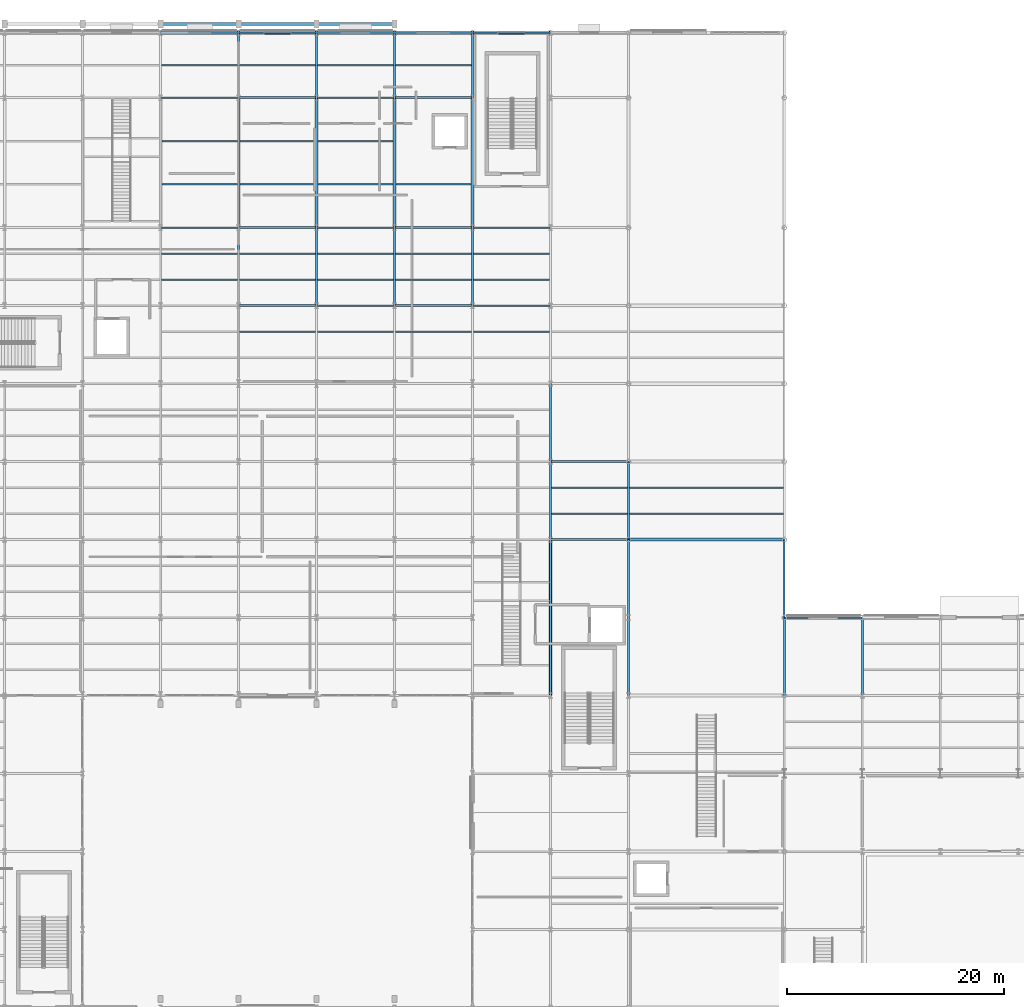
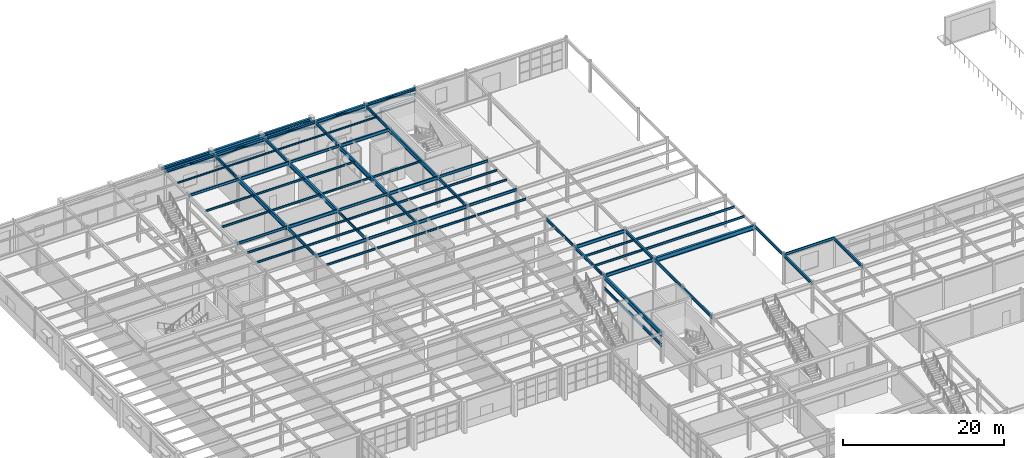
# One storey, part 38 of 83: 78 beams, 9 members.
"""IFC4 building model written with IfcOpenShell, lengths in metres."""

from ifc_helpers import new_model, si_unit, direction, frame, origin, origin_2d, place, context, subcontext, project, spatial, hollow_rectangle, i_section, extrude, material, material_profile, profile_set, type_object, element, save


model = new_model("IFC4")

# Units and contexts
model_context = context("Model", 3, precision=1e-05, world=origin(), true_north=direction((0.0, 1.0)))
body_context = subcontext(model_context, "Body", "Model", "MODEL_VIEW")
ifc_project = project(units=[si_unit("LENGTHUNIT", "METRE"), si_unit("AREAUNIT", "SQUARE_METRE"), si_unit("VOLUMEUNIT", "CUBIC_METRE"), si_unit("PLANEANGLEUNIT", "RADIAN"), si_unit("MASSUNIT", "GRAM", prefix="KILO")], contexts=[model_context])

# Site, building, storey
site_placement = place(None, origin())
site = spatial("IfcSite", under=ifc_project, at=site_placement, CompositionType="ELEMENT")
building_placement = place(site_placement, origin())
building = spatial("IfcBuilding", under=site, at=building_placement, Name="Solvadek Multi-Sports Hall", CompositionType="ELEMENT")
storey_placement = place(building_placement, origin())
storey = spatial("IfcBuildingStorey", under=building, at=storey_placement, Name="L00", CompositionType="ELEMENT", Elevation=0.0)

# Members
ifc_material_1 = material(Name="Steel E350 (350 MPa)", Category="steel")
ifc_material_profile_1 = material_profile(ifc_material_1, hollow_rectangle(XDim=0.14990234375, YDim=0.25, WallThickness=0.010009765625, at=origin_2d()), Name="RHS 250x150x10")
ifc_profile_set_1 = profile_set([ifc_material_profile_1], Name="Steel E350 (350 MPa)")
member_type = type_object("IfcMemberType", Name="STR-ARC-RHS250", PredefinedType="USERDEFINED", material=ifc_profile_set_1)
for number, where, z_axis, x_axis, name in (
    (1, (32.39990234375, 110.39990234375, 4.219970703125), (0.983123357379, 0.0, -0.182943882588), (0.0, 1.0, 0.0), "L00 North Facade Pointed Ottoman Arch 5R"),
    (2, (36.0, 110.39990234375, 3.550048828125), (0.983123357379, 0.0, 0.182943882588), (0.0, 1.0, 0.0), "L00 North Facade Pointed Ottoman Arch 6L"),
):
    element("IfcMember", number, at=place(storey_placement, frame(where, z_axis=z_axis, x_axis=x_axis)), inside=storey, type_object=member_type, Name=name, ObjectType="ARCH_SEGMENT", PredefinedType="USERDEFINED", context=body_context, shape_type="SweptSolid", body=[
        extrude(hollow_rectangle(XDim=0.14990234375, YDim=0.25, WallThickness=0.010009765625, at=origin_2d()), origin(), (0.0, 0.0, 1.0), 3.661865234375),
    ])
member_1_placement = place(storey_placement, frame((39.60009765625, 110.39990234375, 4.219970703125), z_axis=(0.9831211258, 0.0, -0.182955874479), x_axis=(0.0, 1.0, 0.0)))
element("IfcMember", 3, at=member_1_placement, inside=storey, type_object=member_type, Name="L00 North Facade Pointed Ottoman Arch 6R", ObjectType="ARCH_SEGMENT", PredefinedType="USERDEFINED", context=body_context, shape_type="SweptSolid", body=[
    extrude(hollow_rectangle(XDim=0.14990234375, YDim=0.25, WallThickness=0.010009765625, at=origin_2d()), origin(), (0.0, 0.0, 1.0), 3.66162109375),
])
member_2_placement = place(storey_placement, frame((43.199951171875, 110.39990234375, 3.550048828125), z_axis=(0.983123357379, 0.0, 0.182943882588), x_axis=(0.0, 1.0, 0.0)))
element("IfcMember", 4, at=member_2_placement, inside=storey, type_object=member_type, Name="L00 North Facade Pointed Ottoman Arch 7L", ObjectType="ARCH_SEGMENT", PredefinedType="USERDEFINED", context=body_context, shape_type="SweptSolid", body=[
    extrude(hollow_rectangle(XDim=0.14990234375, YDim=0.25, WallThickness=0.010009765625, at=origin_2d()), origin(), (0.0, 0.0, 1.0), 3.661865234375),
])
member_3_placement = place(storey_placement, frame((46.800048828125, 110.39990234375, 4.219970703125), z_axis=(0.9831211258, 0.0, -0.182955874479), x_axis=(0.0, 1.0, 0.0)))
element("IfcMember", 5, at=member_3_placement, inside=storey, type_object=member_type, Name="L00 North Facade Pointed Ottoman Arch 7R", ObjectType="ARCH_SEGMENT", PredefinedType="USERDEFINED", context=body_context, shape_type="SweptSolid", body=[
    extrude(hollow_rectangle(XDim=0.14990234375, YDim=0.25, WallThickness=0.010009765625, at=origin_2d()), origin(), (0.0, 0.0, 1.0), 3.66162109375),
])
for number, where, z_axis, x_axis, name in (
    (6, (50.39990234375, 110.39990234375, 3.550048828125), (0.983123357379, 0.0, 0.182943882588), (0.0, 1.0, 0.0), "L00 North Facade Pointed Ottoman Arch 8L"),
    (7, (54.0, 110.39990234375, 4.219970703125), (0.983123357379, 0.0, -0.182943882588), (0.0, 1.0, 0.0), "L00 North Facade Pointed Ottoman Arch 8R"),
):
    element("IfcMember", number, at=place(storey_placement, frame(where, z_axis=z_axis, x_axis=x_axis)), inside=storey, type_object=member_type, Name=name, ObjectType="ARCH_SEGMENT", PredefinedType="USERDEFINED", context=body_context, shape_type="SweptSolid", body=[
        extrude(hollow_rectangle(XDim=0.14990234375, YDim=0.25, WallThickness=0.010009765625, at=origin_2d()), origin(), (0.0, 0.0, 1.0), 3.661865234375),
    ])
member_4_placement = place(storey_placement, frame((57.60009765625, 110.39990234375, 3.550048828125), z_axis=(0.9831211258, 0.0, 0.182955874479), x_axis=(0.0, 1.0, 0.0)))
element("IfcMember", 8, at=member_4_placement, inside=storey, type_object=member_type, Name="L00 North Facade Pointed Ottoman Arch 9L", ObjectType="ARCH_SEGMENT", PredefinedType="USERDEFINED", context=body_context, shape_type="SweptSolid", body=[
    extrude(hollow_rectangle(XDim=0.14990234375, YDim=0.25, WallThickness=0.010009765625, at=origin_2d()), origin(), (0.0, 0.0, 1.0), 3.66162109375),
])
member_5_placement = place(storey_placement, frame((61.199951171875, 110.39990234375, 4.219970703125), z_axis=(0.983123357379, 0.0, -0.182943882588), x_axis=(0.0, 1.0, 0.0)))
element("IfcMember", 9, at=member_5_placement, inside=storey, type_object=member_type, Name="L00 North Facade Pointed Ottoman Arch 9R", ObjectType="ARCH_SEGMENT", PredefinedType="USERDEFINED", context=body_context, shape_type="SweptSolid", body=[
    extrude(hollow_rectangle(XDim=0.14990234375, YDim=0.25, WallThickness=0.010009765625, at=origin_2d()), origin(), (0.0, 0.0, 1.0), 3.661865234375),
])

# Beams
ifc_material_profile_2 = material_profile(ifc_material_1, i_section(OverallWidth=0.139892578125, OverallDepth=0.39990234375, WebThickness=0.0087890625, FlangeThickness=0.01611328125, at=origin_2d()), Name="ISMB 400")
ifc_profile_set_2 = profile_set([ifc_material_profile_2], Name="Steel E350 (350 MPa)")
beam_type_1 = type_object("IfcBeamType", Name="STR-BM-ISMB400", PredefinedType="BEAM", material=ifc_profile_set_2)
beam_1_placement = place(storey_placement, frame((86.39990234375, 56.39990234375, 4.3798828125), z_axis=(1.0, 0.0, 0.0), x_axis=(0.0, 1.0, 0.0)))
element("IfcBeam", 10, at=beam_1_placement, inside=storey, type_object=beam_type_1, Name="L00 Girder B-10 #631", PredefinedType="BEAM", context=body_context, shape_type="SweptSolid", body=[
    extrude(i_section(OverallWidth=0.139892578125, OverallDepth=0.39990234375, WebThickness=0.0087890625, FlangeThickness=0.01611328125, at=origin_2d()), origin(), (0.0, 0.0, 1.0), 7.2001953125),
])
for number, where, z_axis, x_axis, name in (
    (11, (43.199951171875, 85.199951171875, 4.3798828125), (1.0, 0.0, 0.0), (0.0, 1.0, 0.0), "L00 Girder B-10 #684"),
    (12, (57.60009765625, 85.199951171875, 4.3798828125), (1.0, 0.0, 0.0), (0.0, 1.0, 0.0), "L00 Girder B-10 #686"),
    (13, (28.800048828125, 92.39990234375, 4.3798828125), (1.0, 0.0, 0.0), (0.0, 1.0, 0.0), "L00 Girder B-10 #693"),
    (14, (43.199951171875, 92.39990234375, 4.3798828125), (1.0, 0.0, 0.0), (0.0, 1.0, 0.0), "L00 Girder B-10 #695"),
    (15, (57.60009765625, 92.39990234375, 4.3798828125), (1.0, 0.0, 0.0), (0.0, 1.0, 0.0), "L00 Girder B-10 #697"),
    (16, (28.800048828125, 104.39990234375, 4.3798828125), (1.0, 0.0, 0.0), (0.0, 1.0, 0.0), "L00 Girder B-10 #703"),
    (17, (43.199951171875, 104.39990234375, 4.3798828125), (1.0, 0.0, 0.0), (0.0, 1.0, 0.0), "L00 Girder B-10 #705"),
):
    element("IfcBeam", number, at=place(storey_placement, frame(where, z_axis=z_axis, x_axis=x_axis)), inside=storey, type_object=beam_type_1, Name=name, PredefinedType="BEAM", context=body_context, shape_type="SweptSolid", body=[
        extrude(i_section(OverallWidth=0.139892578125, OverallDepth=0.39990234375, WebThickness=0.0087890625, FlangeThickness=0.01611328125, at=origin_2d()), origin(), (0.0, 0.0, 1.0), 7.199951171875),
    ])
ifc_material_profile_3 = material_profile(ifc_material_1, i_section(OverallWidth=0.14990234375, OverallDepth=0.449951171875, WebThickness=0.009521484375, FlangeThickness=0.017333984375, at=origin_2d()), Name="ISMB 450")
ifc_profile_set_3 = profile_set([ifc_material_profile_3], Name="Steel E350 (350 MPa)")
beam_type_2 = type_object("IfcBeamType", Name="STR-BM-ISMB450", PredefinedType="BEAM", material=ifc_profile_set_3)
for number, where, z_axis, x_axis, name in (
    (18, (36.0, 85.199951171875, 4.35498046875), (0.0, 1.0, 0.0), (-1.0, 0.0, 0.0), "L00 Girder B-09 #790"),
    (19, (43.199951171875, 85.199951171875, 4.35498046875), (0.0, 1.0, 0.0), (-1.0, 0.0, 0.0), "L00 Girder B-09 #802"),
    (20, (50.39990234375, 85.199951171875, 4.35498046875), (0.0, 1.0, 0.0), (-1.0, 0.0, 0.0), "L00 Girder B-09 #814"),
    (21, (57.60009765625, 85.199951171875, 4.35498046875), (0.0, 1.0, 0.0), (-1.0, 0.0, 0.0), "L00 Girder B-09 #833"),
    (22, (64.800048828125, 70.800048828125, 4.35498046875), (0.0, 1.0, 0.0), (-1.0, 0.0, 0.0), "L00 Girder B-09 #848"),
):
    element("IfcBeam", number, at=place(storey_placement, frame(where, z_axis=z_axis, x_axis=x_axis)), inside=storey, type_object=beam_type_2, Name=name, PredefinedType="BEAM", context=body_context, shape_type="SweptSolid", body=[
        extrude(i_section(OverallWidth=0.14990234375, OverallDepth=0.449951171875, WebThickness=0.009521484375, FlangeThickness=0.017333984375, at=origin_2d()), origin(), (0.0, 0.0, 1.0), 7.199951171875),
    ])
for number, where, z_axis, x_axis, name in (
    (23, (72.0, 56.39990234375, 4.35498046875), (0.0, 1.0, 0.0), (-1.0, 0.0, 0.0), "L00 Girder B-09 #867"),
    (24, (86.39990234375, 56.39990234375, 4.35498046875), (0.0, 1.0, 0.0), (-1.0, 0.0, 0.0), "L00 Girder B-09 #885"),
):
    element("IfcBeam", number, at=place(storey_placement, frame(where, z_axis=z_axis, x_axis=x_axis)), inside=storey, type_object=beam_type_2, Name=name, PredefinedType="BEAM", context=body_context, shape_type="SweptSolid", body=[
        extrude(i_section(OverallWidth=0.14990234375, OverallDepth=0.449951171875, WebThickness=0.009521484375, FlangeThickness=0.017333984375, at=origin_2d()), origin(), (0.0, 0.0, 1.0), 7.2001953125),
    ])
ifc_material_profile_4 = material_profile(ifc_material_1, i_section(OverallWidth=0.179931640625, OverallDepth=0.5, WebThickness=0.01025390625, FlangeThickness=0.01708984375, at=origin_2d()), Name="ISMB 500")
ifc_profile_set_4 = profile_set([ifc_material_profile_4], Name="Steel E350 (350 MPa)")
beam_type_3 = type_object("IfcBeamType", Name="STR-BM-ISMB500", PredefinedType="BEAM", material=ifc_profile_set_4)
for number, where, z_axis, x_axis, name in (
    (25, (64.800048828125, 63.60009765625, 4.330078125), (1.0, 0.0, 0.0), (0.0, 1.0, 0.0), "L00 Girder B-07 #646"),
    (26, (64.800048828125, 70.800048828125, 4.330078125), (1.0, 0.0, 0.0), (0.0, 1.0, 0.0), "L00 Girder B-07 #661"),
    (27, (36.0, 85.199951171875, 4.330078125), (1.0, 0.0, 0.0), (0.0, 1.0, 0.0), "L00 Girder B-07 #683"),
):
    element("IfcBeam", number, at=place(storey_placement, frame(where, z_axis=z_axis, x_axis=x_axis)), inside=storey, type_object=beam_type_3, Name=name, PredefinedType="BEAM", context=body_context, shape_type="SweptSolid", body=[
        extrude(i_section(OverallWidth=0.179931640625, OverallDepth=0.5, WebThickness=0.01025390625, FlangeThickness=0.01708984375, at=origin_2d()), origin(), (0.0, 0.0, 1.0), 7.199951171875),
    ])
beam_2_placement = place(storey_placement, frame((50.39990234375, 85.199951171875, 4.330078125), z_axis=(1.0, 0.0, 0.0), x_axis=(0.0, 1.0, 0.0)))
element("IfcBeam", 28, at=beam_2_placement, inside=storey, type_object=beam_type_3, Name="L00 Girder B-07 #685", PredefinedType="BEAM", context=body_context, shape_type="SweptSolid", body=[
    extrude(i_section(OverallWidth=0.179931640625, OverallDepth=0.5, WebThickness=0.01025390625, FlangeThickness=0.01708984375, at=origin_2d()), origin(), (0.0, 0.0, 1.0), 7.2001953125),
])
beam_3_placement = place(storey_placement, frame((36.0, 92.39990234375, 4.330078125), z_axis=(1.0, 0.0, 0.0), x_axis=(0.0, 1.0, 0.0)))
element("IfcBeam", 29, at=beam_3_placement, inside=storey, type_object=beam_type_3, Name="L00 Girder B-07 #694", PredefinedType="BEAM", context=body_context, shape_type="SweptSolid", body=[
    extrude(i_section(OverallWidth=0.179931640625, OverallDepth=0.5, WebThickness=0.01025390625, FlangeThickness=0.01708984375, at=origin_2d()), origin(), (0.0, 0.0, 1.0), 7.199951171875),
])
beam_4_placement = place(storey_placement, frame((50.39990234375, 92.39990234375, 4.330078125), z_axis=(1.0, 0.0, 0.0), x_axis=(0.0, 1.0, 0.0)))
element("IfcBeam", 30, at=beam_4_placement, inside=storey, type_object=beam_type_3, Name="L00 Girder B-07 #696", PredefinedType="BEAM", context=body_context, shape_type="SweptSolid", body=[
    extrude(i_section(OverallWidth=0.179931640625, OverallDepth=0.5, WebThickness=0.01025390625, FlangeThickness=0.01708984375, at=origin_2d()), origin(), (0.0, 0.0, 1.0), 7.2001953125),
])
beam_5_placement = place(storey_placement, frame((36.0, 104.39990234375, 4.330078125), z_axis=(1.0, 0.0, 0.0), x_axis=(0.0, 1.0, 0.0)))
element("IfcBeam", 31, at=beam_5_placement, inside=storey, type_object=beam_type_3, Name="L00 Girder B-07 #704", PredefinedType="BEAM", context=body_context, shape_type="SweptSolid", body=[
    extrude(i_section(OverallWidth=0.179931640625, OverallDepth=0.5, WebThickness=0.01025390625, FlangeThickness=0.01708984375, at=origin_2d()), origin(), (0.0, 0.0, 1.0), 7.199951171875),
])
beam_6_placement = place(storey_placement, frame((50.39990234375, 104.39990234375, 4.330078125), z_axis=(1.0, 0.0, 0.0), x_axis=(0.0, 1.0, 0.0)))
element("IfcBeam", 32, at=beam_6_placement, inside=storey, type_object=beam_type_3, Name="L00 Girder B-07 #706", PredefinedType="BEAM", context=body_context, shape_type="SweptSolid", body=[
    extrude(i_section(OverallWidth=0.179931640625, OverallDepth=0.5, WebThickness=0.01025390625, FlangeThickness=0.01708984375, at=origin_2d()), origin(), (0.0, 0.0, 1.0), 7.2001953125),
])
ifc_material_profile_5 = material_profile(ifc_material_1, i_section(OverallWidth=0.14990234375, OverallDepth=0.449951171875, WebThickness=0.009521484375, FlangeThickness=0.017333984375, at=origin_2d()), Name="ISMB 450")
ifc_profile_set_5 = profile_set([ifc_material_profile_5], Name="Steel E350 (350 MPa)")
beam_type_4 = type_object("IfcBeamType", Name="STR-BM-LND450", PredefinedType="BEAM", material=ifc_profile_set_5)
beam_7_placement = place(storey_placement, frame((64.800048828125, 49.199951171875, 2.574951171875), z_axis=(0.0, 1.0, 0.0), x_axis=(-1.0, 0.0, 0.0)))
element("IfcBeam", 33, at=beam_7_placement, inside=storey, type_object=beam_type_4, Name="Stair ST-10 Landing Edge Girder #2", PredefinedType="BEAM", context=body_context, shape_type="SweptSolid", body=[
    extrude(i_section(OverallWidth=0.14990234375, OverallDepth=0.449951171875, WebThickness=0.009521484375, FlangeThickness=0.017333984375, at=origin_2d()), origin(), (0.0, 0.0, 1.0), 14.400146484375),
])
ifc_material_profile_6 = material_profile(ifc_material_1, i_section(OverallWidth=0.18994140625, OverallDepth=0.449951171875, WebThickness=0.009521484375, FlangeThickness=0.0146484375, at=origin_2d()), Name="NPB 450")
ifc_profile_set_6 = profile_set([ifc_material_profile_6], Name="Steel E350 (350 MPa)")
beam_type_5 = type_object("IfcBeamType", Name="STR-BM-NPB450", PredefinedType="BEAM", material=ifc_profile_set_6)
for number, where, z_axis, x_axis, name in (
    (34, (36.0, 104.39990234375, 4.35498046875), (0.0, 1.0, 0.0), (-1.0, 0.0, 0.0), "L00 Girder B-08 #792"),
    (35, (43.199951171875, 104.39990234375, 4.35498046875), (0.0, 1.0, 0.0), (-1.0, 0.0, 0.0), "L00 Girder B-08 #804"),
    (36, (50.39990234375, 104.39990234375, 4.35498046875), (0.0, 1.0, 0.0), (-1.0, 0.0, 0.0), "L00 Girder B-08 #816"),
    (37, (57.60009765625, 104.39990234375, 4.35498046875), (0.0, 1.0, 0.0), (-1.0, 0.0, 0.0), "L00 Girder B-08 #835"),
):
    element("IfcBeam", number, at=place(storey_placement, frame(where, z_axis=z_axis, x_axis=x_axis)), inside=storey, type_object=beam_type_5, Name=name, PredefinedType="BEAM", context=body_context, shape_type="SweptSolid", body=[
        extrude(i_section(OverallWidth=0.18994140625, OverallDepth=0.449951171875, WebThickness=0.009521484375, FlangeThickness=0.0146484375, at=origin_2d()), origin(), (0.0, 0.0, 1.0), 6.0),
    ])
for number, where, z_axis, x_axis, name in (
    (38, (64.800048828125, 63.60009765625, 4.35498046875), (0.0, 1.0, 0.0), (-1.0, 0.0, 0.0), "L00 Girder B-08 #847"),
    (39, (72.0, 49.199951171875, 4.35498046875), (0.0, 1.0, 0.0), (-1.0, 0.0, 0.0), "L00 Girder B-08 #866"),
    (40, (72.0, 63.60009765625, 4.35498046875), (0.0, 1.0, 0.0), (-1.0, 0.0, 0.0), "L00 Girder B-08 #868"),
    (41, (86.39990234375, 49.199951171875, 4.35498046875), (0.0, 1.0, 0.0), (-1.0, 0.0, 0.0), "L00 Girder B-08 #884"),
    (42, (93.60009765625, 49.199951171875, 4.35498046875), (0.0, 1.0, 0.0), (-1.0, 0.0, 0.0), "L00 Girder B-08 #899"),
):
    element("IfcBeam", number, at=place(storey_placement, frame(where, z_axis=z_axis, x_axis=x_axis)), inside=storey, type_object=beam_type_5, Name=name, PredefinedType="BEAM", context=body_context, shape_type="SweptSolid", body=[
        extrude(i_section(OverallWidth=0.18994140625, OverallDepth=0.449951171875, WebThickness=0.009521484375, FlangeThickness=0.0146484375, at=origin_2d()), origin(), (0.0, 0.0, 1.0), 7.199951171875),
    ])
ifc_material_profile_7 = material_profile(ifc_material_1, i_section(OverallWidth=0.239990234375, OverallDepth=0.64990234375, WebThickness=0.0126953125, FlangeThickness=0.0205078125, at=origin_2d()), Name="NPB 650")
ifc_profile_set_7 = profile_set([ifc_material_profile_7], Name="Steel E350 (350 MPa)")
beam_type_6 = type_object("IfcBeamType", Name="STR-BM-NPB650", PredefinedType="BEAM", material=ifc_profile_set_7)
for number, where, z_axis, x_axis, name in (
    (43, (36.0, 92.39990234375, 4.2548828125), (0.0, 1.0, 0.0), (-1.0, 0.0, 0.0), "L00 Girder B-03 #791"),
    (44, (43.199951171875, 92.39990234375, 4.2548828125), (0.0, 1.0, 0.0), (-1.0, 0.0, 0.0), "L00 Girder B-03 #803"),
    (45, (50.39990234375, 92.39990234375, 4.2548828125), (0.0, 1.0, 0.0), (-1.0, 0.0, 0.0), "L00 Girder B-03 #815"),
    (46, (57.60009765625, 92.39990234375, 4.2548828125), (0.0, 1.0, 0.0), (-1.0, 0.0, 0.0), "L00 Girder B-03 #834"),
):
    element("IfcBeam", number, at=place(storey_placement, frame(where, z_axis=z_axis, x_axis=x_axis)), inside=storey, type_object=beam_type_6, Name=name, PredefinedType="BEAM", context=body_context, shape_type="SweptSolid", body=[
        extrude(i_section(OverallWidth=0.239990234375, OverallDepth=0.64990234375, WebThickness=0.0126953125, FlangeThickness=0.0205078125, at=origin_2d()), origin(), (0.0, 0.0, 1.0), 12.0),
    ])
beam_8_placement = place(storey_placement, frame((64.800048828125, 49.199951171875, 4.2548828125), z_axis=(0.0, 1.0, 0.0), x_axis=(-1.0, 0.0, 0.0)))
element("IfcBeam", 47, at=beam_8_placement, inside=storey, type_object=beam_type_6, Name="L00 Girder B-03 #846", PredefinedType="BEAM", context=body_context, shape_type="SweptSolid", body=[
    extrude(i_section(OverallWidth=0.239990234375, OverallDepth=0.64990234375, WebThickness=0.0126953125, FlangeThickness=0.0205078125, at=origin_2d()), origin(), (0.0, 0.0, 1.0), 14.400146484375),
])
ifc_material_profile_8 = material_profile(ifc_material_1, i_section(OverallWidth=0.300048828125, OverallDepth=0.699951171875, WebThickness=0.01708984375, FlangeThickness=0.031982421875, at=origin_2d()), Name="WPB 700")
ifc_profile_set_8 = profile_set([ifc_material_profile_8], Name="Steel E350 (350 MPa)")
beam_type_7 = type_object("IfcBeamType", Name="STR-BM-WPB700", PredefinedType="BEAM", material=ifc_profile_set_8)
beam_9_placement = place(storey_placement, frame((72.0, 63.60009765625, 4.22998046875), z_axis=(1.0, 0.0, 0.0), x_axis=(0.0, 1.0, 0.0)))
element("IfcBeam", 48, at=beam_9_placement, inside=storey, type_object=beam_type_7, Name="L00 Girder B-01 #647", PredefinedType="BEAM", context=body_context, shape_type="SweptSolid", body=[
    extrude(i_section(OverallWidth=0.300048828125, OverallDepth=0.699951171875, WebThickness=0.01708984375, FlangeThickness=0.031982421875, at=origin_2d()), origin(), (0.0, 0.0, 1.0), 14.39990234375),
])
ifc_material_2 = material(Name="Steel E250 (250 MPa)", Category="steel")
ifc_material_profile_9 = material_profile(ifc_material_2, i_section(OverallWidth=0.125, OverallDepth=0.25, WebThickness=0.0068359375, FlangeThickness=0.012451171875, at=origin_2d()), Name="ISMB 250")
ifc_profile_set_9 = profile_set([ifc_material_profile_9], Name="Steel E250 (250 MPa)")
beam_type_8 = type_object("IfcBeamType", Name="STR-JST-ISMB250", PredefinedType="JOIST", material=ifc_profile_set_9)
for number, where, z_axis, x_axis, name in (
    (49, (28.89501953125, 107.39990234375, 4.455078125), (1.0, 0.0, 0.0), (0.0, 1.0, 0.0), "L00 Composite Joist J-04 #580"),
    (50, (36.094970703125, 107.39990234375, 4.455078125), (1.0, 0.0, 0.0), (0.0, 1.0, 0.0), "L00 Composite Joist J-04 #581"),
    (51, (43.294921875, 107.39990234375, 4.455078125), (1.0, 0.0, 0.0), (0.0, 1.0, 0.0), "L00 Composite Joist J-04 #582"),
):
    element("IfcBeam", number, at=place(storey_placement, frame(where, z_axis=z_axis, x_axis=x_axis)), inside=storey, type_object=beam_type_8, Name=name, PredefinedType="JOIST", context=body_context, shape_type="SweptSolid", body=[
        extrude(i_section(OverallWidth=0.125, OverallDepth=0.25, WebThickness=0.0068359375, FlangeThickness=0.012451171875, at=origin_2d()), origin(), (0.0, 0.0, 1.0), 7.010009765625),
    ])
beam_10_placement = place(storey_placement, frame((50.4951171875, 107.39990234375, 4.455078125), z_axis=(1.0, 0.0, 0.0), x_axis=(0.0, 1.0, 0.0)))
element("IfcBeam", 52, at=beam_10_placement, inside=storey, type_object=beam_type_8, Name="L00 Composite Joist J-04 #583", PredefinedType="JOIST", context=body_context, shape_type="SweptSolid", body=[
    extrude(i_section(OverallWidth=0.125, OverallDepth=0.25, WebThickness=0.0068359375, FlangeThickness=0.012451171875, at=origin_2d()), origin(), (0.0, 0.0, 1.0), 7.009765625),
])
ifc_material_profile_10 = material_profile(ifc_material_1, i_section(OverallWidth=0.139892578125, OverallDepth=0.300048828125, WebThickness=0.0078125, FlangeThickness=0.01318359375, at=origin_2d()), Name="ISMB 300")
ifc_profile_set_10 = profile_set([ifc_material_profile_10], Name="Steel E350 (350 MPa)")
beam_type_9 = type_object("IfcBeamType", Name="STR-JST-ISMB300", PredefinedType="JOIST", material=ifc_profile_set_10)
for number, where, z_axis, x_axis, name in (
    (53, (64.89501953125, 66.0, 4.429931640625), (1.0, 0.0, 0.0), (0.0, 1.0, 0.0), "L00 Composite Joist J-03 #502"),
    (54, (64.89501953125, 68.39990234375, 4.429931640625), (1.0, 0.0, 0.0), (0.0, 1.0, 0.0), "L00 Composite Joist J-03 #503"),
):
    element("IfcBeam", number, at=place(storey_placement, frame(where, z_axis=z_axis, x_axis=x_axis)), inside=storey, type_object=beam_type_9, Name=name, PredefinedType="JOIST", context=body_context, shape_type="SweptSolid", body=[
        extrude(i_section(OverallWidth=0.139892578125, OverallDepth=0.300048828125, WebThickness=0.0078125, FlangeThickness=0.01318359375, at=origin_2d()), origin(), (0.0, 0.0, 1.0), 7.010009765625),
    ])
for number, where, z_axis, x_axis, name in (
    (55, (36.074951171875, 82.800048828125, 4.429931640625), (1.0, 0.0, 0.0), (0.0, 1.0, 0.0), "L00 Composite Joist J-03 #534"),
    (56, (43.27490234375, 82.800048828125, 4.429931640625), (1.0, 0.0, 0.0), (0.0, 1.0, 0.0), "L00 Composite Joist J-03 #536"),
):
    element("IfcBeam", number, at=place(storey_placement, frame(where, z_axis=z_axis, x_axis=x_axis)), inside=storey, type_object=beam_type_9, Name=name, PredefinedType="JOIST", context=body_context, shape_type="SweptSolid", body=[
        extrude(i_section(OverallWidth=0.139892578125, OverallDepth=0.300048828125, WebThickness=0.0078125, FlangeThickness=0.01318359375, at=origin_2d()), origin(), (0.0, 0.0, 1.0), 7.050048828125),
    ])
beam_11_placement = place(storey_placement, frame((50.47509765625, 82.800048828125, 4.429931640625), z_axis=(1.0, 0.0, 0.0), x_axis=(0.0, 1.0, 0.0)))
element("IfcBeam", 57, at=beam_11_placement, inside=storey, type_object=beam_type_9, Name="L00 Composite Joist J-03 #538", PredefinedType="JOIST", context=body_context, shape_type="SweptSolid", body=[
    extrude(i_section(OverallWidth=0.139892578125, OverallDepth=0.300048828125, WebThickness=0.0078125, FlangeThickness=0.01318359375, at=origin_2d()), origin(), (0.0, 0.0, 1.0), 7.0498046875),
])
for number, where, z_axis, x_axis, name in (
    (58, (57.675048828125, 82.800048828125, 4.429931640625), (1.0, 0.0, 0.0), (0.0, 1.0, 0.0), "L00 Composite Joist J-03 #540"),
    (59, (28.875, 87.60009765625, 4.429931640625), (1.0, 0.0, 0.0), (0.0, 1.0, 0.0), "L00 Composite Joist J-03 #553"),
    (60, (28.875, 90.0, 4.429931640625), (1.0, 0.0, 0.0), (0.0, 1.0, 0.0), "L00 Composite Joist J-03 #554"),
    (61, (36.074951171875, 87.60009765625, 4.429931640625), (1.0, 0.0, 0.0), (0.0, 1.0, 0.0), "L00 Composite Joist J-03 #555"),
    (62, (36.074951171875, 90.0, 4.429931640625), (1.0, 0.0, 0.0), (0.0, 1.0, 0.0), "L00 Composite Joist J-03 #556"),
    (63, (43.27490234375, 87.60009765625, 4.429931640625), (1.0, 0.0, 0.0), (0.0, 1.0, 0.0), "L00 Composite Joist J-03 #557"),
    (64, (43.27490234375, 90.0, 4.429931640625), (1.0, 0.0, 0.0), (0.0, 1.0, 0.0), "L00 Composite Joist J-03 #558"),
):
    element("IfcBeam", number, at=place(storey_placement, frame(where, z_axis=z_axis, x_axis=x_axis)), inside=storey, type_object=beam_type_9, Name=name, PredefinedType="JOIST", context=body_context, shape_type="SweptSolid", body=[
        extrude(i_section(OverallWidth=0.139892578125, OverallDepth=0.300048828125, WebThickness=0.0078125, FlangeThickness=0.01318359375, at=origin_2d()), origin(), (0.0, 0.0, 1.0), 7.050048828125),
    ])
for number, where, z_axis, x_axis, name in (
    (65, (50.47509765625, 87.60009765625, 4.429931640625), (1.0, 0.0, 0.0), (0.0, 1.0, 0.0), "L00 Composite Joist J-03 #559"),
    (66, (50.47509765625, 90.0, 4.429931640625), (1.0, 0.0, 0.0), (0.0, 1.0, 0.0), "L00 Composite Joist J-03 #560"),
):
    element("IfcBeam", number, at=place(storey_placement, frame(where, z_axis=z_axis, x_axis=x_axis)), inside=storey, type_object=beam_type_9, Name=name, PredefinedType="JOIST", context=body_context, shape_type="SweptSolid", body=[
        extrude(i_section(OverallWidth=0.139892578125, OverallDepth=0.300048828125, WebThickness=0.0078125, FlangeThickness=0.01318359375, at=origin_2d()), origin(), (0.0, 0.0, 1.0), 7.0498046875),
    ])
for number, where, z_axis, x_axis, name in (
    (67, (57.675048828125, 87.60009765625, 4.429931640625), (1.0, 0.0, 0.0), (0.0, 1.0, 0.0), "L00 Composite Joist J-03 #561"),
    (68, (57.675048828125, 90.0, 4.429931640625), (1.0, 0.0, 0.0), (0.0, 1.0, 0.0), "L00 Composite Joist J-03 #562"),
):
    element("IfcBeam", number, at=place(storey_placement, frame(where, z_axis=z_axis, x_axis=x_axis)), inside=storey, type_object=beam_type_9, Name=name, PredefinedType="JOIST", context=body_context, shape_type="SweptSolid", body=[
        extrude(i_section(OverallWidth=0.139892578125, OverallDepth=0.300048828125, WebThickness=0.0078125, FlangeThickness=0.01318359375, at=origin_2d()), origin(), (0.0, 0.0, 1.0), 7.050048828125),
    ])
for number, where, z_axis, x_axis, name in (
    (69, (28.919921875, 96.39990234375, 4.429931640625), (1.0, 0.0, 0.0), (0.0, 1.0, 0.0), "L00 Composite Joist J-03 #569"),
    (70, (28.919921875, 100.39990234375, 4.429931640625), (1.0, 0.0, 0.0), (0.0, 1.0, 0.0), "L00 Composite Joist J-03 #570"),
    (71, (36.1201171875, 96.39990234375, 4.429931640625), (1.0, 0.0, 0.0), (0.0, 1.0, 0.0), "L00 Composite Joist J-03 #571"),
    (72, (36.1201171875, 100.39990234375, 4.429931640625), (1.0, 0.0, 0.0), (0.0, 1.0, 0.0), "L00 Composite Joist J-03 #572"),
    (73, (43.320068359375, 96.39990234375, 4.429931640625), (1.0, 0.0, 0.0), (0.0, 1.0, 0.0), "L00 Composite Joist J-03 #573"),
    (74, (43.320068359375, 100.39990234375, 4.429931640625), (1.0, 0.0, 0.0), (0.0, 1.0, 0.0), "L00 Composite Joist J-03 #574"),
    (75, (50.52001953125, 96.39990234375, 4.429931640625), (1.0, 0.0, 0.0), (0.0, 1.0, 0.0), "L00 Composite Joist J-03 #575"),
):
    element("IfcBeam", number, at=place(storey_placement, frame(where, z_axis=z_axis, x_axis=x_axis)), inside=storey, type_object=beam_type_9, Name=name, PredefinedType="JOIST", context=body_context, shape_type="SweptSolid", body=[
        extrude(i_section(OverallWidth=0.139892578125, OverallDepth=0.300048828125, WebThickness=0.0078125, FlangeThickness=0.01318359375, at=origin_2d()), origin(), (0.0, 0.0, 1.0), 6.9599609375),
    ])
ifc_material_profile_11 = material_profile(ifc_material_1, i_section(OverallWidth=0.139892578125, OverallDepth=0.35009765625, WebThickness=0.008056640625, FlangeThickness=0.01416015625, at=origin_2d()), Name="ISMB 350")
ifc_profile_set_11 = profile_set([ifc_material_profile_11], Name="Steel E350 (350 MPa)")
beam_type_10 = type_object("IfcBeamType", Name="STR-JST-ISMB350", PredefinedType="JOIST", material=ifc_profile_set_11)
for number, where, z_axis, x_axis, name in (
    (76, (72.094970703125, 66.0, 4.405029296875), (1.0, 0.0, 0.0), (0.0, 1.0, 0.0), "L00 Composite Joist J-01 #504"),
    (77, (72.094970703125, 68.39990234375, 4.405029296875), (1.0, 0.0, 0.0), (0.0, 1.0, 0.0), "L00 Composite Joist J-01 #505"),
):
    element("IfcBeam", number, at=place(storey_placement, frame(where, z_axis=z_axis, x_axis=x_axis)), inside=storey, type_object=beam_type_10, Name=name, PredefinedType="JOIST", context=body_context, shape_type="SweptSolid", body=[
        extrude(i_section(OverallWidth=0.139892578125, OverallDepth=0.35009765625, WebThickness=0.008056640625, FlangeThickness=0.01416015625, at=origin_2d()), origin(), (0.0, 0.0, 1.0), 14.2099609375),
    ])
ifc_material_profile_12 = material_profile(ifc_material_2, i_section(OverallWidth=0.10009765625, OverallDepth=0.199951171875, WebThickness=0.005615234375, FlangeThickness=0.0107421875, at=origin_2d()), Name="ISMB 200")
ifc_profile_set_12 = profile_set([ifc_material_profile_12], Name="Steel E250 (250 MPa)")
beam_type_11 = type_object("IfcBeamType", Name="STR-LIN-ISMB200", PredefinedType="LINTEL", material=ifc_profile_set_12)
for number, where, z_axis, x_axis, name in (
    (78, (36.0, 110.39990234375, 2.52001953125), (1.0, 0.0, 0.0), (0.0, 1.0, 0.0), "L00 Opening Lintel #7"),
    (79, (57.60009765625, 110.39990234375, 2.52001953125), (1.0, 0.0, 0.0), (0.0, 1.0, 0.0), "L00 Opening Lintel #8"),
):
    element("IfcBeam", number, at=place(storey_placement, frame(where, z_axis=z_axis, x_axis=x_axis)), inside=storey, type_object=beam_type_11, Name=name, PredefinedType="LINTEL", context=body_context, shape_type="SweptSolid", body=[
        extrude(i_section(OverallWidth=0.10009765625, OverallDepth=0.199951171875, WebThickness=0.005615234375, FlangeThickness=0.0107421875, at=origin_2d()), origin(), (0.0, 0.0, 1.0), 7.199951171875),
    ])
ifc_material_profile_13 = material_profile(ifc_material_1, i_section(OverallWidth=0.300048828125, OverallDepth=0.39990234375, WebThickness=0.013427734375, FlangeThickness=0.02392578125, at=origin_2d()), Name="WPB 400")
ifc_profile_set_13 = profile_set([ifc_material_profile_13], Name="Steel E350 (350 MPa)")
beam_type_12 = type_object("IfcBeamType", Name="STR-SPN-WPB400", PredefinedType="SPANDREL", material=ifc_profile_set_13)
for number, where, z_axis, x_axis, name in (
    (80, (28.800048828125, 110.39990234375, 4.3798828125), (1.0, 0.0, 0.0), (0.0, 1.0, 0.0), "L00 Girder SP-02 #712"),
    (81, (43.199951171875, 110.39990234375, 4.3798828125), (1.0, 0.0, 0.0), (0.0, 1.0, 0.0), "L00 Girder SP-02 #714"),
    (82, (57.60009765625, 110.39990234375, 4.3798828125), (1.0, 0.0, 0.0), (0.0, 1.0, 0.0), "L00 Girder SP-02 #716"),
    (83, (28.800048828125, 111.199951171875, 4.3798828125), (1.0, 0.0, 0.0), (0.0, 1.0, 0.0), "L00 Girder SP-02 #721"),
    (84, (43.199951171875, 111.199951171875, 4.3798828125), (1.0, 0.0, 0.0), (0.0, 1.0, 0.0), "L00 Girder SP-02 #723"),
):
    element("IfcBeam", number, at=place(storey_placement, frame(where, z_axis=z_axis, x_axis=x_axis)), inside=storey, type_object=beam_type_12, Name=name, PredefinedType="SPANDREL", context=body_context, shape_type="SweptSolid", body=[
        extrude(i_section(OverallWidth=0.300048828125, OverallDepth=0.39990234375, WebThickness=0.013427734375, FlangeThickness=0.02392578125, at=origin_2d()), origin(), (0.0, 0.0, 1.0), 7.199951171875),
    ])
ifc_material_profile_14 = material_profile(ifc_material_1, i_section(OverallWidth=0.300048828125, OverallDepth=0.5, WebThickness=0.014404296875, FlangeThickness=0.028076171875, at=origin_2d()), Name="WPB 500")
ifc_profile_set_14 = profile_set([ifc_material_profile_14], Name="Steel E350 (350 MPa)")
beam_type_13 = type_object("IfcBeamType", Name="STR-SPN-WPB500", PredefinedType="SPANDREL", material=ifc_profile_set_14)
beam_12_placement = place(storey_placement, frame((36.0, 110.39990234375, 4.330078125), z_axis=(1.0, 0.0, 0.0), x_axis=(0.0, 1.0, 0.0)))
element("IfcBeam", 85, at=beam_12_placement, inside=storey, type_object=beam_type_13, Name="L00 Girder SP-01 #713", PredefinedType="SPANDREL", context=body_context, shape_type="SweptSolid", body=[
    extrude(i_section(OverallWidth=0.300048828125, OverallDepth=0.5, WebThickness=0.014404296875, FlangeThickness=0.028076171875, at=origin_2d()), origin(), (0.0, 0.0, 1.0), 7.199951171875),
])
beam_13_placement = place(storey_placement, frame((50.39990234375, 110.39990234375, 4.330078125), z_axis=(1.0, 0.0, 0.0), x_axis=(0.0, 1.0, 0.0)))
element("IfcBeam", 86, at=beam_13_placement, inside=storey, type_object=beam_type_13, Name="L00 Girder SP-01 #715", PredefinedType="SPANDREL", context=body_context, shape_type="SweptSolid", body=[
    extrude(i_section(OverallWidth=0.300048828125, OverallDepth=0.5, WebThickness=0.014404296875, FlangeThickness=0.028076171875, at=origin_2d()), origin(), (0.0, 0.0, 1.0), 7.2001953125),
])
beam_14_placement = place(storey_placement, frame((36.0, 111.199951171875, 4.330078125), z_axis=(1.0, 0.0, 0.0), x_axis=(0.0, 1.0, 0.0)))
element("IfcBeam", 87, at=beam_14_placement, inside=storey, type_object=beam_type_13, Name="L00 Girder SP-01 #722", PredefinedType="SPANDREL", context=body_context, shape_type="SweptSolid", body=[
    extrude(i_section(OverallWidth=0.300048828125, OverallDepth=0.5, WebThickness=0.014404296875, FlangeThickness=0.028076171875, at=origin_2d()), origin(), (0.0, 0.0, 1.0), 7.199951171875),
])

save(model, "model.ifc")
